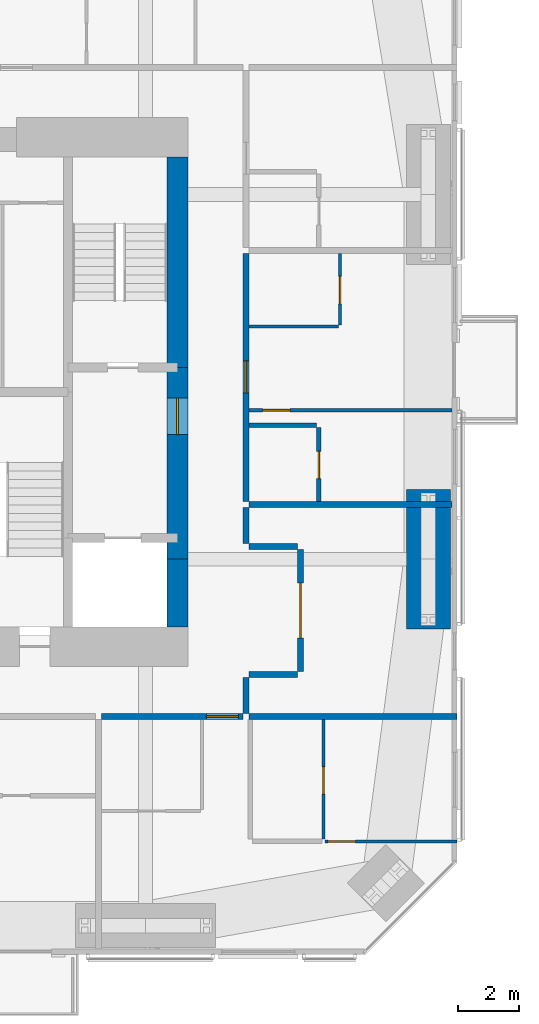
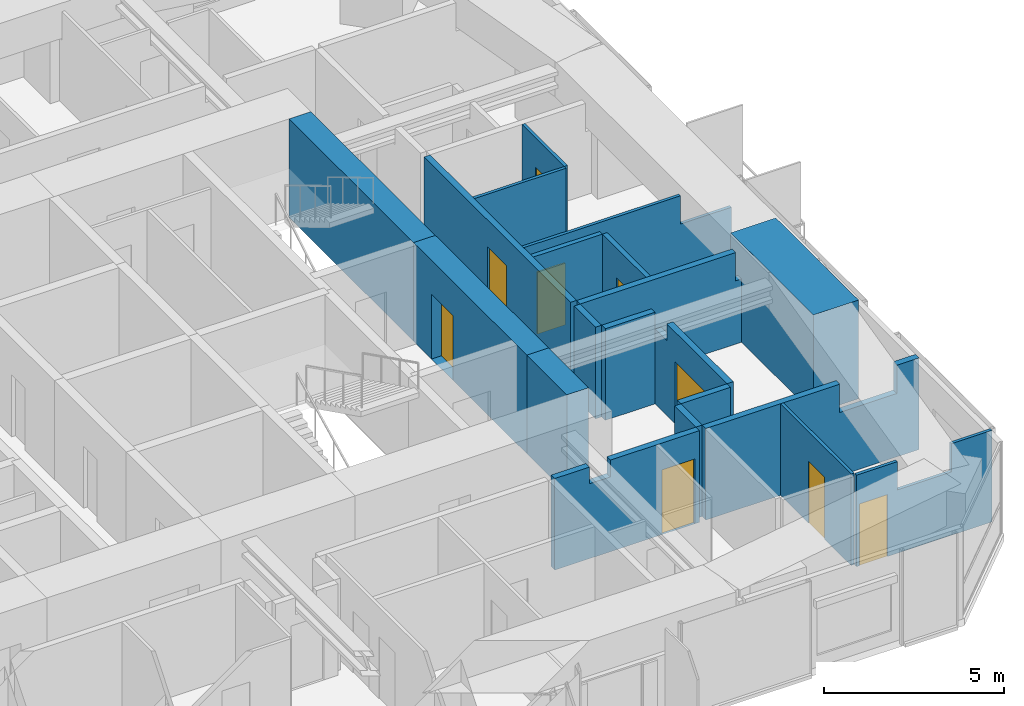
# One storey, part 19 of 22: 20 walls, 9 doors, 9 openings.
"""IFC4 building model written with IfcOpenShell, lengths in metres."""

from ifc_helpers import new_model, si_unit, direction, frame, frame_2d, origin, place, context, subcontext, project, spatial, polyline, rectangle, outline, extrude, material, layer, layer_set, constituent, constituent_set, type_object, element, fill, save


model = new_model("IFC4")

# Units and contexts
model_context = context("Model", 3, precision=1e-05, world=origin(), true_north=direction((0.0, 1.0)))
body_context = subcontext(model_context, "Body", "Model", "MODEL_VIEW")
ifc_project = project(units=[si_unit("LENGTHUNIT", "METRE"), si_unit("AREAUNIT", "SQUARE_METRE"), si_unit("VOLUMEUNIT", "CUBIC_METRE"), si_unit("PLANEANGLEUNIT", "RADIAN"), si_unit("MASSUNIT", "GRAM", prefix="KILO")], contexts=[model_context])

# Site, building, storey
site_placement = place(None, origin())
site = spatial("IfcSite", under=ifc_project, at=site_placement, CompositionType="ELEMENT")
building_placement = place(site_placement, origin())
building = spatial("IfcBuilding", under=site, at=building_placement, Name="Jalousie Tower", CompositionType="ELEMENT")
storey_placement = place(building_placement, frame((0.0, 0.0, 177.800048828125)))
storey = spatial("IfcBuildingStorey", under=building, at=storey_placement, Name="L48", CompositionType="ELEMENT", Elevation=177.800048828125)

# Wall, opening, door
ifc_material_1 = material(Name="Concrete block ASTM C90", Category="concrete")
ifc_constituent_1 = constituent(ifc_material_1, Name="Body")
ifc_material_2 = material(Name="Render")
ifc_constituent_2 = constituent(ifc_material_2, Name="Finish")
ifc_constituent_set_1 = constituent_set(constituents=[ifc_constituent_1, ifc_constituent_2])
wall_type_1 = type_object("IfcWallType", Name="BATHROOM WALL 150", PredefinedType="PLUMBINGWALL", material=ifc_constituent_set_1)
wall_1_placement = place(storey_placement, frame((48.449951171875, 14.89990234375, 0.0), z_axis=(0.0, 0.0, 1.0), x_axis=(0.0, 1.0, 0.0)))
wall_1 = element("IfcWall", 1, at=wall_1_placement, inside=storey, type_object=wall_type_1, Name="Bathroom Wall 150 L48", PredefinedType="PLUMBINGWALL", context=body_context, shape_type="SweptSolid", body=[
    extrude(rectangle(XDim=2.425048828125, YDim=0.14990234375, at=frame_2d((1.21240234375, 0.0))), origin(), (0.0, 0.0, 1.0), 3.10986328125),
])
opening_1_placement = place(wall_1_placement, frame((0.75, 0.0, 0.0)))
opening_1 = element("IfcOpeningElement", 2, at=opening_1_placement, cuts=wall_1, Name="Opening D3", PredefinedType="OPENING", context=body_context, shape_type="SweptSolid", body=[
    extrude(rectangle(XDim=0.89990234375, YDim=2.10009765625, at=frame_2d((0.449951171875, 1.050048828125))), frame((0.0, 0.0849609375, 0.0), z_axis=(0.0, -1.0, 0.0), x_axis=(1.0, 0.0, 0.0)), (0.0, 0.0, 1.0), 0.169921875),
])
ifc_material_3 = material(Name="Timber door", Category="wood")
door_type_1 = type_object("IfcDoorType", Name="BATHROOM DOOR 900", OperationType="SINGLE_SWING_LEFT", PredefinedType="DOOR", material=ifc_material_3)
door_1_placement = place(opening_1_placement, origin())
door_1 = element("IfcDoor", 3, at=door_1_placement, inside=storey, type_object=door_type_1, Name="Apartment 4807 bathroom door", OperationType="SINGLE_SWING_LEFT", OverallHeight=2.10009765625, OverallWidth=0.89990234375, PredefinedType="DOOR", context=body_context, shape_type="SweptSolid", body=[
    extrude(rectangle(XDim=0.89990234375, YDim=2.10009765625, at=frame_2d((0.449951171875, 1.050048828125))), frame((0.0, 0.02490234375, 0.0), z_axis=(0.0, -1.0, 0.0), x_axis=(1.0, 0.0, 0.0)), (0.0, 0.0, 1.0), 0.050048828125),
])
fill(opening_1, door_1)

# Walls
wall_2_placement = place(storey_placement, frame((48.375, 17.39990234375, 0.0), z_axis=(0.0, 0.0, 1.0), x_axis=(-1.0, 0.0, 0.0)))
element("IfcWall", 4, at=wall_2_placement, inside=storey, type_object=wall_type_1, Name="Bathroom Wall 150 L48", PredefinedType="PLUMBINGWALL", context=body_context, shape_type="SweptSolid", body=[
    extrude(rectangle(XDim=2.22509765625, YDim=0.14990234375, at=frame_2d((1.112548828125, 0.0))), origin(), (0.0, 0.0, 1.0), 3.10986328125),
])
ifc_material_4 = material(Name="Concrete f'c 120 MPa", Category="concrete")
ifc_layer_1 = layer(ifc_material_4, 0.699951171875)
ifc_layer_set_1 = layer_set([ifc_layer_1], Name="Concrete f'c 120 MPa")
wall_type_2 = type_object("IfcWallType", Name="CORE WALL 700", PredefinedType="SHEAR", material=ifc_layer_set_1)
wall_3_placement = place(storey_placement, frame((43.800048828125, 10.77490234375, 0.0), z_axis=(0.0, 0.0, 1.0), x_axis=(0.0, 1.0, 0.0)))
element("IfcWall", 5, at=wall_3_placement, inside=storey, type_object=wall_type_2, Name="Core wall EA L48", PredefinedType="SHEAR", context=body_context, shape_type="SweptSolid", body=[
    extrude(rectangle(XDim=2.22509765625, YDim=0.699951171875, at=frame_2d((1.112548828125, 0.0))), origin(), (0.0, 0.0, 1.0), 3.349853515625),
])

# Wall, opening, door
wall_4_placement = place(storey_placement, frame((43.800048828125, 13.0, 0.0), z_axis=(0.0, 0.0, 1.0), x_axis=(0.0, 1.0, 0.0)))
wall_4 = element("IfcWall", 6, at=wall_4_placement, inside=storey, type_object=wall_type_2, Name="Core wall EB L48", PredefinedType="SHEAR", context=body_context, shape_type="SweptSolid", body=[
    extrude(rectangle(XDim=6.300048828125, YDim=0.699951171875, at=frame_2d((3.14990234375, 0.0))), origin(), (0.0, 0.0, 1.0), 3.349853515625),
])
opening_2_placement = place(wall_4_placement, frame((4.10009765625, 0.0, 0.0)))
opening_2 = element("IfcOpeningElement", 7, at=opening_2_placement, cuts=wall_4, Name="Opening D11", PredefinedType="OPENING", context=body_context, shape_type="SweptSolid", body=[
    extrude(rectangle(XDim=1.199951171875, YDim=2.199951171875, at=frame_2d((0.60009765625, 1.10009765625))), frame((0.0, 0.35986328125, 0.0), z_axis=(0.0, -1.0, 0.0), x_axis=(1.0, 0.0, 0.0)), (0.0, 0.0, 1.0), 0.719970703125),
])
ifc_material_5 = material(Name="Steel fire door", Category="steel")
door_type_2 = type_object("IfcDoorType", Name="FIRE DOOR 1200", OperationType="SINGLE_SWING_LEFT", PredefinedType="DOOR", material=ifc_material_5)
door_2_placement = place(opening_2_placement, origin())
door_2 = element("IfcDoor", 8, at=door_2_placement, inside=storey, type_object=door_type_2, Name="Fire-fighting lobby B door", OperationType="SINGLE_SWING_RIGHT", OverallHeight=2.199951171875, OverallWidth=1.199951171875, PredefinedType="DOOR", context=body_context, shape_type="SweptSolid", body=[
    extrude(rectangle(XDim=1.199951171875, YDim=2.199951171875, at=frame_2d((0.60009765625, 1.10009765625))), frame((0.0, 0.02490234375, 0.0), z_axis=(0.0, -1.0, 0.0), x_axis=(1.0, 0.0, 0.0)), (0.0, 0.0, 1.0), 0.050048828125),
])
fill(opening_2, door_2)

# Wall
wall_5_placement = place(storey_placement, frame((43.800048828125, 19.300048828125, 0.0), z_axis=(0.0, 0.0, 1.0), x_axis=(0.0, 1.0, 0.0)))
element("IfcWall", 9, at=wall_5_placement, inside=storey, type_object=wall_type_2, Name="Core wall EC L48", PredefinedType="SHEAR", context=body_context, shape_type="SweptSolid", body=[
    extrude(rectangle(XDim=6.925048828125, YDim=0.699951171875, at=frame_2d((3.46240234375, 0.0))), origin(), (0.0, 0.0, 1.0), 3.349853515625),
])

# Wall, opening, door
ifc_material_6 = material(Name="Concrete block ASTM C90", Category="concrete")
ifc_constituent_3 = constituent(ifc_material_6, Name="Body")
ifc_material_7 = material(Name="Render")
ifc_constituent_4 = constituent(ifc_material_7, Name="Finish")
ifc_constituent_set_2 = constituent_set(constituents=[ifc_constituent_3, ifc_constituent_4])
wall_type_3 = type_object("IfcWallType", Name="CORRIDOR WALL 200", PredefinedType="PARTITIONING", material=ifc_constituent_set_2)
wall_6_placement = place(storey_placement, frame((41.300048828125, 7.824951171875, 0.0), z_axis=(0.0, 0.0, 1.0), x_axis=(1.0, 0.0, 0.0)))
wall_6 = element("IfcWall", 10, at=wall_6_placement, inside=storey, type_object=wall_type_3, Name="Corridor Wall 200 L48", PredefinedType="PARTITIONING", context=body_context, shape_type="SweptSolid", body=[
    extrude(outline(polyline([(0.0, 0.0), (4.64990234375, 0.0), (4.64990234375, 3.10986328125), (1.787353515625, 3.10986328125), (1.787353515625, 2.541015625), (1.112548828125, 2.541015625), (1.112548828125, 3.10986328125), (0.0, 3.10986328125), (0.0, 0.0)])), frame((0.0, 0.10009765625, 0.0), z_axis=(0.0, -1.0, 0.0), x_axis=(1.0, 0.0, 0.0)), (0.0, 0.0, 1.0), 0.199951171875),
])
opening_3_placement = place(wall_6_placement, frame((3.449951171875, 0.0, 0.0)))
opening_3 = element("IfcOpeningElement", 11, at=opening_3_placement, cuts=wall_6, Name="Opening D1", PredefinedType="OPENING", context=body_context, shape_type="SweptSolid", body=[
    extrude(rectangle(XDim=1.050048828125, YDim=2.199951171875, at=frame_2d((0.52490234375, 1.10009765625))), frame((0.0, 0.10986328125, 0.0), z_axis=(0.0, -1.0, 0.0), x_axis=(1.0, 0.0, 0.0)), (0.0, 0.0, 1.0), 0.219970703125),
])
ifc_material_8 = material(Name="Timber fire door", Category="wood")
door_type_3 = type_object("IfcDoorType", Name="APARTMENT ENTRANCE DOOR 1050", OperationType="SINGLE_SWING_LEFT", PredefinedType="DOOR", material=ifc_material_8)
door_3_placement = place(opening_3_placement, frame((1.050048828125, 0.0, 0.0), z_axis=(0.0, 0.0, 1.0), x_axis=(-1.0, 0.0, 0.0)))
door_3 = element("IfcDoor", 12, at=door_3_placement, inside=storey, type_object=door_type_3, Name="Apartment 4803 entrance", OperationType="SINGLE_SWING_RIGHT", OverallHeight=2.199951171875, OverallWidth=1.050048828125, PredefinedType="DOOR", context=body_context, shape_type="SweptSolid", body=[
    extrude(rectangle(XDim=1.050048828125, YDim=2.199951171875, at=frame_2d((0.52490234375, 1.10009765625))), frame((0.0, 0.02490234375, 0.0), z_axis=(0.0, -1.0, 0.0), x_axis=(1.0, 0.0, 0.0)), (0.0, 0.0, 1.0), 0.050048828125),
])
fill(opening_3, door_3)

# Wall
wall_7_placement = place(storey_placement, frame((46.050048828125, 7.925048828125, 0.0), z_axis=(0.0, 0.0, 1.0), x_axis=(0.0, 1.0, 0.0)))
element("IfcWall", 13, at=wall_7_placement, inside=storey, type_object=wall_type_3, Name="Corridor Wall 200 L48", PredefinedType="PARTITIONING", context=body_context, shape_type="SweptSolid", body=[
    extrude(rectangle(XDim=1.1875, YDim=0.199951171875, at=frame_2d((0.59375, 0.0))), origin(), (0.0, 0.0, 1.0), 3.10986328125),
])

# Wall, opening, door
wall_8_placement = place(storey_placement, frame((46.050048828125, 14.89990234375, 0.0), z_axis=(0.0, 0.0, 1.0), x_axis=(0.0, 1.0, 0.0)))
wall_8 = element("IfcWall", 14, at=wall_8_placement, inside=storey, type_object=wall_type_3, Name="Corridor Wall 200 L48", PredefinedType="PARTITIONING", context=body_context, shape_type="SweptSolid", body=[
    extrude(rectangle(XDim=8.150146484375, YDim=0.199951171875, at=frame_2d((4.0751953125, 0.0))), origin(), (0.0, 0.0, 1.0), 3.10986328125),
])
opening_4_placement = place(wall_8_placement, frame((3.574951171875, 0.0, 0.0)))
opening_4 = element("IfcOpeningElement", 15, at=opening_4_placement, cuts=wall_8, Name="Opening D1", PredefinedType="OPENING", context=body_context, shape_type="SweptSolid", body=[
    extrude(rectangle(XDim=1.050048828125, YDim=2.199951171875, at=frame_2d((0.52490234375, 1.10009765625))), frame((0.0, 0.10986328125, 0.0), z_axis=(0.0, -1.0, 0.0), x_axis=(1.0, 0.0, 0.0)), (0.0, 0.0, 1.0), 0.219970703125),
])
door_4_placement = place(opening_4_placement, frame((1.050048828125, 0.0, 0.0), z_axis=(0.0, 0.0, 1.0), x_axis=(-1.0, 0.0, 0.0)))
door_4 = element("IfcDoor", 16, at=door_4_placement, inside=storey, type_object=door_type_3, Name="Apartment 4807 entrance", OperationType="SINGLE_SWING_RIGHT", OverallHeight=2.199951171875, OverallWidth=1.050048828125, PredefinedType="DOOR", context=body_context, shape_type="SweptSolid", body=[
    extrude(rectangle(XDim=1.050048828125, YDim=2.199951171875, at=frame_2d((0.52490234375, 1.10009765625))), frame((0.0, 0.02490234375, 0.0), z_axis=(0.0, -1.0, 0.0), x_axis=(1.0, 0.0, 0.0)), (0.0, 0.0, 1.0), 0.050048828125),
])
fill(opening_4, door_4)

# Wall
wall_9_placement = place(storey_placement, frame((46.050048828125, 13.512451171875, 0.0), z_axis=(0.0, 0.0, 1.0), x_axis=(0.0, 1.0, 0.0)))
element("IfcWall", 17, at=wall_9_placement, inside=storey, type_object=wall_type_3, Name="Corridor Wall 200 L48", PredefinedType="PARTITIONING", context=body_context, shape_type="SweptSolid", body=[
    extrude(rectangle(XDim=1.1875, YDim=0.199951171875, at=frame_2d((0.59375, 0.0))), origin(), (0.0, 0.0, 1.0), 3.10986328125),
])

# Wall, opening, door
wall_10_placement = place(storey_placement, frame((47.85009765625, 9.3125, 0.0), z_axis=(0.0, 0.0, 1.0), x_axis=(0.0, 1.0, 0.0)))
wall_10 = element("IfcWall", 18, at=wall_10_placement, inside=storey, type_object=wall_type_3, Name="Corridor Wall 200 L48", PredefinedType="PARTITIONING", context=body_context, shape_type="SweptSolid", body=[
    extrude(outline(polyline([(0.0, 0.0), (4.0, 0.0), (4.0, 3.10986328125), (4.0, 2.541015625), (3.35009765625, 2.541015625), (3.35009765625, 3.10986328125), (0.0, 3.10986328125), (0.0, 0.0)])), frame((0.0, 0.10009765625, 0.0), z_axis=(0.0, -1.0, 0.0), x_axis=(1.0, 0.0, 0.0)), (0.0, 0.0, 1.0), 0.199951171875),
])
opening_5_placement = place(wall_10_placement, frame((1.10009765625, 0.0, 0.0)))
opening_5 = element("IfcOpeningElement", 19, at=opening_5_placement, cuts=wall_10, Name="Opening D22", PredefinedType="OPENING", context=body_context, shape_type="SweptSolid", body=[
    extrude(rectangle(XDim=1.800048828125, YDim=2.10009765625, at=frame_2d((0.89990234375, 1.050048828125))), frame((0.0, 0.10986328125, 0.0), z_axis=(0.0, -1.0, 0.0), x_axis=(1.0, 0.0, 0.0)), (0.0, 0.0, 1.0), 0.219970703125),
])
ifc_material_9 = material(Name="Timber fire door", Category="wood")
door_type_4 = type_object("IfcDoorType", Name="CORRIDOR DOUBLE DOOR 1800", OperationType="DOUBLE_DOOR_SINGLE_SWING", PredefinedType="DOOR", material=ifc_material_9)
door_5_placement = place(opening_5_placement, frame((1.800048828125, 0.0, 0.0), z_axis=(0.0, 0.0, 1.0), x_axis=(-1.0, 0.0, 0.0)))
door_5 = element("IfcDoor", 20, at=door_5_placement, inside=storey, type_object=door_type_4, Name="Residents' library door", OperationType="DOUBLE_DOOR_SINGLE_SWING", OverallHeight=2.10009765625, OverallWidth=1.800048828125, PredefinedType="DOOR", context=body_context, shape_type="SweptSolid", body=[
    extrude(rectangle(XDim=1.800048828125, YDim=2.10009765625, at=frame_2d((0.89990234375, 1.050048828125))), frame((0.0, 0.02490234375, 0.0), z_axis=(0.0, -1.0, 0.0), x_axis=(1.0, 0.0, 0.0)), (0.0, 0.0, 1.0), 0.050048828125),
])
fill(opening_5, door_5)

# Walls
for number, where, z_axis, x_axis, name in (
    (21, (46.14990234375, 9.21240234375, 0.0), (0.0, 0.0, 1.0), (1.0, 0.0, 0.0), "Corridor Wall 200 L48"),
    (22, (46.14990234375, 13.41259765625, 0.0), (0.0, 0.0, 1.0), (1.0, 0.0, 0.0), "Corridor Wall 200 L48"),
):
    element("IfcWall", number, at=place(storey_placement, frame(where, z_axis=z_axis, x_axis=x_axis)), inside=storey, type_object=wall_type_3, Name=name, PredefinedType="PARTITIONING", context=body_context, shape_type="SweptSolid", body=[
        extrude(rectangle(XDim=1.60009765625, YDim=0.199951171875, at=frame_2d((0.800048828125, 0.0))), origin(), (0.0, 0.0, 1.0), 3.10986328125),
    ])

# Wall, opening, door
ifc_material_10 = material(Name="Gypsum board", Category="gypsum")
ifc_constituent_5 = constituent(ifc_material_10, Name="Body")
ifc_material_11 = material(Name="Light-gauge steel studs ASTM A653 SS Grade 33", Category="steel")
ifc_constituent_6 = constituent(ifc_material_11, Name="Framing")
ifc_constituent_set_3 = constituent_set(constituents=[ifc_constituent_5, ifc_constituent_6])
wall_type_4 = type_object("IfcWallType", Name="PARTITION 100", PredefinedType="PARTITIONING", material=ifc_constituent_set_3)
wall_11_placement = place(storey_placement, frame((48.60009765625, 3.79638671875, 0.0), z_axis=(0.0, 0.0, 1.0), x_axis=(0.0, 1.0, 0.0)))
wall_11 = element("IfcWall", 23, at=wall_11_placement, inside=storey, type_object=wall_type_4, Name="Partition 100 L48", PredefinedType="PARTITIONING", context=body_context, shape_type="SweptSolid", body=[
    extrude(rectangle(XDim=3.9287109375, YDim=0.10009765625, at=frame_2d((1.96435546875, 0.0))), origin(), (0.0, 0.0, 1.0), 3.10986328125),
])
opening_6_placement = place(wall_11_placement, frame((1.476806640625, 0.0, 0.0)))
opening_6 = element("IfcOpeningElement", 24, at=opening_6_placement, cuts=wall_11, Name="Opening D3", PredefinedType="OPENING", context=body_context, shape_type="SweptSolid", body=[
    extrude(rectangle(XDim=0.89990234375, YDim=2.10009765625, at=frame_2d((0.449951171875, 1.050048828125))), frame((0.0, 0.06005859375, 0.0), z_axis=(0.0, -1.0, 0.0), x_axis=(1.0, 0.0, 0.0)), (0.0, 0.0, 1.0), 0.1201171875),
])
door_6_placement = place(opening_6_placement, origin())
door_6 = element("IfcDoor", 25, at=door_6_placement, inside=storey, type_object=door_type_1, Name="Apartment 4803 bedroom 1 bathroom door", OperationType="SINGLE_SWING_LEFT", OverallHeight=2.10009765625, OverallWidth=0.89990234375, PredefinedType="DOOR", context=body_context, shape_type="SweptSolid", body=[
    extrude(rectangle(XDim=0.89990234375, YDim=2.10009765625, at=frame_2d((0.449951171875, 1.050048828125))), frame((0.0, 0.02490234375, 0.0), z_axis=(0.0, -1.0, 0.0), x_axis=(1.0, 0.0, 0.0)), (0.0, 0.0, 1.0), 0.050048828125),
])
fill(opening_6, door_6)

wall_12_placement = place(storey_placement, frame((48.64990234375, 3.72119140625, 0.0), z_axis=(0.0, 0.0, 1.0), x_axis=(1.0, 0.0, 0.0)))
wall_12 = element("IfcWall", 26, at=wall_12_placement, inside=storey, type_object=wall_type_4, Name="Partition 100 L48", PredefinedType="PARTITIONING", context=body_context, shape_type="SweptSolid", body=[
    extrude(outline(polyline([(0.0, 0.0), (4.35009765625, 0.0), (4.35009765625, 3.10986328125), (3.049072265625, 3.10986328125), (3.049072265625, 2.14990234375), (1.314453125, 2.14990234375), (1.314453125, 3.10986328125), (0.0, 3.10986328125), (0.0, 0.0)])), frame((0.0, 0.050048828125, 0.0), z_axis=(0.0, -1.0, 0.0), x_axis=(1.0, 0.0, 0.0)), (0.0, 0.0, 1.0), 0.10009765625),
])
opening_7_placement = place(wall_12_placement, frame((0.10009765625, 0.0, 0.0)))
opening_7 = element("IfcOpeningElement", 27, at=opening_7_placement, cuts=wall_12, Name="Opening D2", PredefinedType="OPENING", context=body_context, shape_type="SweptSolid", body=[
    extrude(rectangle(XDim=0.89990234375, YDim=2.10009765625, at=frame_2d((0.449951171875, 1.050048828125))), frame((0.0, 0.06005859375, 0.0), z_axis=(0.0, -1.0, 0.0), x_axis=(1.0, 0.0, 0.0)), (0.0, 0.0, 1.0), 0.1201171875),
])
ifc_material_12 = material(Name="Timber door", Category="wood")
door_type_5 = type_object("IfcDoorType", Name="BEDROOM DOOR 900", OperationType="SINGLE_SWING_LEFT", PredefinedType="DOOR", material=ifc_material_12)
door_7_placement = place(opening_7_placement, origin())
door_7 = element("IfcDoor", 28, at=door_7_placement, inside=storey, type_object=door_type_5, Name="Apartment 4803 bedroom 1 door", OperationType="SINGLE_SWING_LEFT", OverallHeight=2.10009765625, OverallWidth=0.89990234375, PredefinedType="DOOR", context=body_context, shape_type="SweptSolid", body=[
    extrude(rectangle(XDim=0.89990234375, YDim=2.10009765625, at=frame_2d((0.449951171875, 1.050048828125))), frame((0.0, 0.02490234375, 0.0), z_axis=(0.0, -1.0, 0.0), x_axis=(1.0, 0.0, 0.0)), (0.0, 0.0, 1.0), 0.050048828125),
])
fill(opening_7, door_7)

wall_13_placement = place(storey_placement, frame((52.824951171875, 17.89990234375, 0.0), z_axis=(0.0, 0.0, 1.0), x_axis=(-1.0, 0.0, 0.0)))
wall_13 = element("IfcWall", 29, at=wall_13_placement, inside=storey, type_object=wall_type_4, Name="Partition 100 L48", PredefinedType="PARTITIONING", context=body_context, shape_type="SweptSolid", body=[
    extrude(outline(polyline([(0.0, 0.0), (6.675048828125, 0.0), (6.675048828125, 3.10986328125), (1.635009765625, 3.10986328125), (1.635009765625, 2.14990234375), (0.0, 2.14990234375), (0.0, 3.10986328125), (0.0, 0.0)])), frame((0.0, 0.050048828125, 0.0), z_axis=(0.0, -1.0, 0.0), x_axis=(1.0, 0.0, 0.0)), (0.0, 0.0, 1.0), 0.10009765625),
])
opening_8_placement = place(wall_13_placement, frame((5.324951171875, 0.0, 0.0)))
opening_8 = element("IfcOpeningElement", 30, at=opening_8_placement, cuts=wall_13, Name="Opening D2", PredefinedType="OPENING", context=body_context, shape_type="SweptSolid", body=[
    extrude(rectangle(XDim=0.89990234375, YDim=2.10009765625, at=frame_2d((0.449951171875, 1.050048828125))), frame((0.0, 0.06005859375, 0.0), z_axis=(0.0, -1.0, 0.0), x_axis=(1.0, 0.0, 0.0)), (0.0, 0.0, 1.0), 0.1201171875),
])
door_8_placement = place(opening_8_placement, frame((0.89990234375, 0.0, 0.0), z_axis=(0.0, 0.0, 1.0), x_axis=(-1.0, 0.0, 0.0)))
door_8 = element("IfcDoor", 31, at=door_8_placement, inside=storey, type_object=door_type_5, Name="Apartment 4807 study door", OperationType="SINGLE_SWING_LEFT", OverallHeight=2.10009765625, OverallWidth=0.89990234375, PredefinedType="DOOR", context=body_context, shape_type="SweptSolid", body=[
    extrude(rectangle(XDim=0.89990234375, YDim=2.10009765625, at=frame_2d((0.449951171875, 1.050048828125))), frame((0.0, 0.02490234375, 0.0), z_axis=(0.0, -1.0, 0.0), x_axis=(1.0, 0.0, 0.0)), (0.0, 0.0, 1.0), 0.050048828125),
])
fill(opening_8, door_8)

wall_14_placement = place(storey_placement, frame((49.14990234375, 20.699951171875, 0.0), z_axis=(0.0, 0.0, 1.0), x_axis=(0.0, 1.0, 0.0)))
wall_14 = element("IfcWall", 32, at=wall_14_placement, inside=storey, type_object=wall_type_4, Name="Partition 100 L48", PredefinedType="PARTITIONING", context=body_context, shape_type="SweptSolid", body=[
    extrude(rectangle(XDim=2.35009765625, YDim=0.10009765625, at=frame_2d((1.175048828125, 0.0))), origin(), (0.0, 0.0, 1.0), 3.10986328125),
])
opening_9_placement = place(wall_14_placement, frame((0.699951171875, 0.0, 0.0)))
opening_9 = element("IfcOpeningElement", 33, at=opening_9_placement, cuts=wall_14, Name="Opening D7", PredefinedType="OPENING", context=body_context, shape_type="SweptSolid", body=[
    extrude(rectangle(XDim=0.89990234375, YDim=2.10009765625, at=frame_2d((0.449951171875, 1.050048828125))), frame((0.0, 0.06005859375, 0.0), z_axis=(0.0, -1.0, 0.0), x_axis=(1.0, 0.0, 0.0)), (0.0, 0.0, 1.0), 0.1201171875),
])
ifc_material_13 = material(Name="Timber door", Category="wood")
door_type_6 = type_object("IfcDoorType", Name="INTERNAL DOOR 900", OperationType="SINGLE_SWING_LEFT", PredefinedType="DOOR", material=ifc_material_13)
door_9_placement = place(opening_9_placement, origin())
door_9 = element("IfcDoor", 34, at=door_9_placement, inside=storey, type_object=door_type_6, Name="Apartment 4807 kitchen door", OperationType="SINGLE_SWING_LEFT", OverallHeight=2.10009765625, OverallWidth=0.89990234375, PredefinedType="DOOR", context=body_context, shape_type="SweptSolid", body=[
    extrude(rectangle(XDim=0.89990234375, YDim=2.10009765625, at=frame_2d((0.449951171875, 1.050048828125))), frame((0.0, 0.02490234375, 0.0), z_axis=(0.0, -1.0, 0.0), x_axis=(1.0, 0.0, 0.0)), (0.0, 0.0, 1.0), 0.050048828125),
])
fill(opening_9, door_9)

# Walls
wall_15_placement = place(storey_placement, frame((49.10009765625, 20.64990234375, 0.0), z_axis=(0.0, 0.0, 1.0), x_axis=(-1.0, 0.0, 0.0)))
element("IfcWall", 35, at=wall_15_placement, inside=storey, type_object=wall_type_4, Name="Partition 100 L48", PredefinedType="PARTITIONING", context=body_context, shape_type="SweptSolid", body=[
    extrude(rectangle(XDim=2.9501953125, YDim=0.10009765625, at=frame_2d((1.47509765625, 0.0))), origin(), (0.0, 0.0, 1.0), 3.10986328125),
])
ifc_material_14 = material(Name="Concrete block ASTM C90", Category="concrete")
ifc_constituent_7 = constituent(ifc_material_14, Name="Body")
ifc_material_15 = material(Name="Render")
ifc_constituent_8 = constituent(ifc_material_15, Name="Finish")
ifc_constituent_set_4 = constituent_set(constituents=[ifc_constituent_7, ifc_constituent_8])
wall_type_5 = type_object("IfcWallType", Name="PARTY WALL 200", PredefinedType="PARTITIONING", material=ifc_constituent_set_4)
wall_16_placement = place(storey_placement, frame((46.14990234375, 7.824951171875, 0.0), z_axis=(0.0, 0.0, 1.0), x_axis=(1.0, 0.0, 0.0)))
element("IfcWall", 36, at=wall_16_placement, inside=storey, type_object=wall_type_5, Name="Party Wall 200 L48", PredefinedType="PARTITIONING", context=body_context, shape_type="SweptSolid", body=[
    extrude(outline(polyline([(0.0, 0.0), (6.85009765625, 0.0), (6.85009765625, 3.10986328125), (6.138427734375, 3.10986328125), (6.138427734375, 2.14990234375), (4.302734375, 2.14990234375), (4.302734375, 3.10986328125), (0.0, 3.10986328125), (0.0, 0.0)])), frame((0.0, 0.10009765625, 0.0), z_axis=(0.0, -1.0, 0.0), x_axis=(1.0, 0.0, 0.0)), (0.0, 0.0, 1.0), 0.199951171875),
])
wall_17_placement = place(storey_placement, frame((52.824951171875, 14.800048828125, 0.0), z_axis=(0.0, 0.0, 1.0), x_axis=(-1.0, 0.0, 0.0)))
element("IfcWall", 37, at=wall_17_placement, inside=storey, type_object=wall_type_5, Name="Party Wall 200 L48", PredefinedType="PARTITIONING", context=body_context, shape_type="SweptSolid", body=[
    extrude(outline(polyline([(0.52880859375, 2.14990234375), (0.0, 2.14990234375), (0.0, 0.0), (0.52880859375, 0.0), (0.52880859375, 0.038818359375), (1.021240234375, 0.038818359375), (1.021240234375, 0.0), (6.675048828125, 0.0), (6.675048828125, 3.10986328125), (1.68505859375, 3.10986328125), (1.68505859375, 2.14990234375), (1.021240234375, 2.14990234375), (1.021240234375, 2.111083984375), (0.52880859375, 2.111083984375), (0.52880859375, 2.14990234375)])), frame((0.0, 0.10009765625, 0.0), z_axis=(0.0, -1.0, 0.0), x_axis=(1.0, 0.0, 0.0)), (0.0, 0.0, 1.0), 0.199951171875),
])
ifc_material_16 = material(Name="Concrete f'c 120 MPa", Category="concrete")
ifc_layer_2 = layer(ifc_material_16, 1.449951171875)
ifc_layer_set_2 = layer_set([ifc_layer_2], Name="Concrete f'c 120 MPa")
wall_type_6 = type_object("IfcWallType", Name="RC WALL PIER 1450", PredefinedType="SHEAR", material=ifc_layer_set_2)
wall_18_placement = place(storey_placement, frame((52.050048828125, 10.699951171875, 0.0), z_axis=(0.0, 0.0, 1.0), x_axis=(0.0, 1.0, 0.0)))
element("IfcWall", 38, at=wall_18_placement, inside=storey, type_object=wall_type_6, Name="Wall pier 06 L48", PredefinedType="SHEAR", context=body_context, shape_type="SweptSolid", body=[
    extrude(rectangle(XDim=4.60009765625, YDim=1.449951171875, at=frame_2d((2.300048828125, 0.0))), origin(), (0.0, 0.0, 1.0), 3.349853515625),
])

save(model, "model.ifc")
